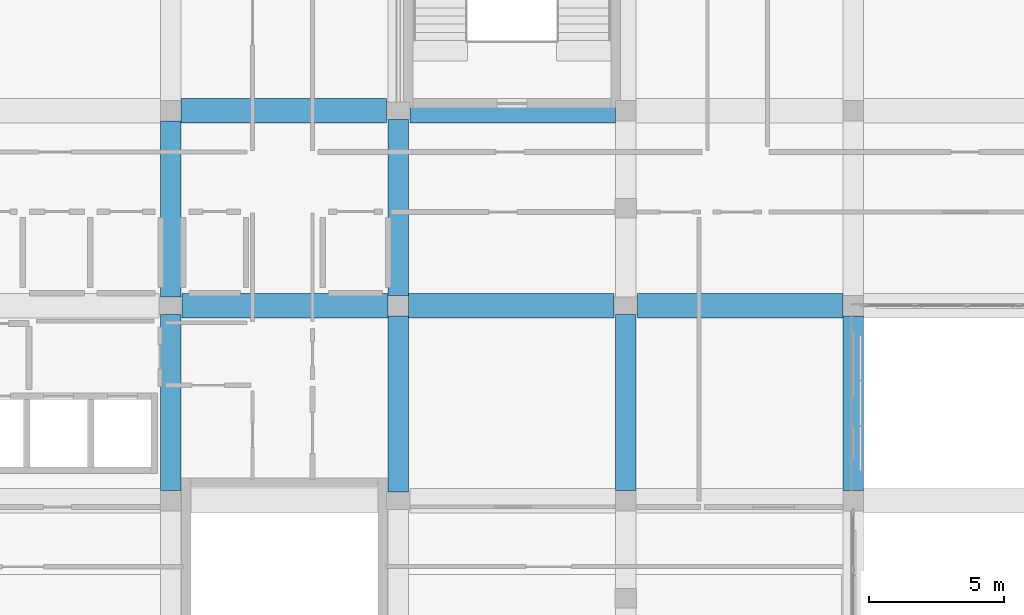
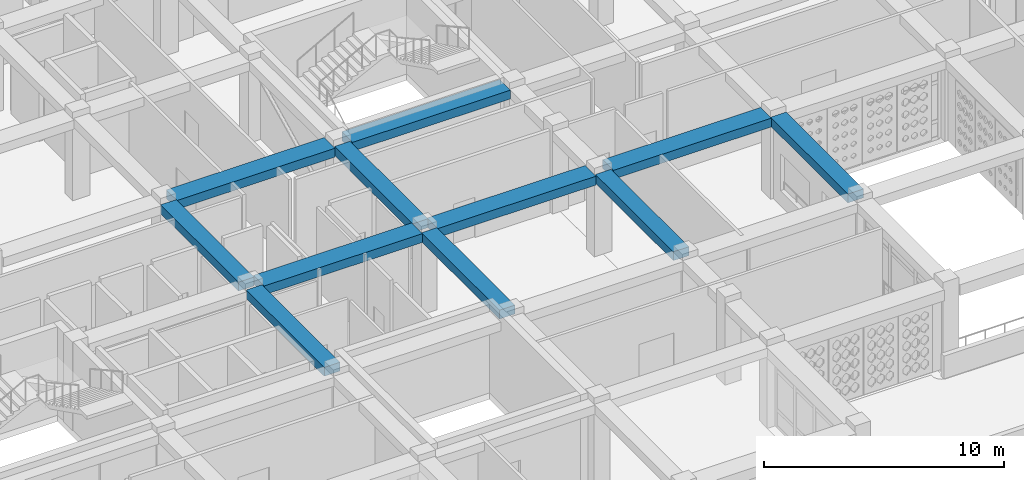
# One storey, part 11 of 111: 11 beams.
"""IFC4 building model written with IfcOpenShell, lengths in metres."""

from ifc_helpers import new_model, si_unit, derived_unit, direction, frame, origin, origin_2d, place, context, subcontext, project, spatial, rectangle, extrude, material, material_profile, profile_set, type_object, element, save


model = new_model("IFC4")

# Units and contexts
model_context = context("Model", 3, precision=1e-05, world=origin(), true_north=direction((0.0, 1.0)))
body_context = subcontext(model_context, "Body", "Model", "MODEL_VIEW")
ifc_project = project(units=[si_unit("LENGTHUNIT", "METRE"), si_unit("AREAUNIT", "SQUARE_METRE"), si_unit("VOLUMEUNIT", "CUBIC_METRE"), si_unit("PLANEANGLEUNIT", "RADIAN"), si_unit("MASSUNIT", "GRAM", prefix="KILO"), derived_unit("THERMALTRANSMITTANCEUNIT", [(si_unit("POWERUNIT", "WATT"), 1), (si_unit("LENGTHUNIT", "METRE"), -2), (si_unit("THERMODYNAMICTEMPERATUREUNIT", "KELVIN"), -1)])], contexts=[model_context])

# Site, building, storey
site_placement = place(None, origin())
site = spatial("IfcSite", under=ifc_project, at=site_placement, CompositionType="ELEMENT")
building_placement = place(site_placement, origin())
building = spatial("IfcBuilding", under=site, at=building_placement, Name="Veybourne Emporium", CompositionType="ELEMENT")
storey_placement = place(building_placement, frame((0.0, 0.0, 9.89990234375)))
storey = spatial("IfcBuildingStorey", under=building, at=storey_placement, Name="L02", CompositionType="ELEMENT", Elevation=9.89990234375)

# Beams
ifc_material = material(Name="Concrete C32/40", Category="concrete")
ifc_material_profile_1 = material_profile(ifc_material, rectangle(XDim=0.89990234375, YDim=0.449951171875, at=origin_2d()), Name="RC 900x450")
ifc_profile_set_1 = profile_set([ifc_material_profile_1], Name="Concrete C32/40")
beam_type_1 = type_object("IfcBeamType", Name="RCBeam_BB-03", PredefinedType="BEAM", material=ifc_profile_set_1)
beam_1_placement = place(storey_placement, frame((34.02490234375, 21.60009765625, 3.955078125), z_axis=(1.0, 0.0, 0.0), x_axis=(0.0, 1.0, 0.0)))
element("IfcBeam", 1, at=beam_1_placement, inside=storey, type_object=beam_type_1, Name="L02 X-grid beam BB-03 (4,3)", PredefinedType="BEAM", context=body_context, shape_type="SweptSolid", body=[
    extrude(rectangle(XDim=0.89990234375, YDim=0.449951171875, at=origin_2d()), origin(), (0.0, 0.0, 1.0), 7.60009765625),
])
beam_2_placement = place(storey_placement, frame((33.97509765625, 28.800048828125, 3.955078125), z_axis=(1.0, 0.0, 0.0), x_axis=(0.0, 1.0, 0.0)))
element("IfcBeam", 2, at=beam_2_placement, inside=storey, type_object=beam_type_1, Name="L02 X-grid beam BB-03 (4,4)", PredefinedType="BEAM", context=body_context, shape_type="SweptSolid", body=[
    extrude(rectangle(XDim=0.89990234375, YDim=0.449951171875, at=origin_2d()), origin(), (0.0, 0.0, 1.0), 7.599853515625),
])
beam_3_placement = place(storey_placement, frame((42.375, 21.60009765625, 3.955078125), z_axis=(1.0, 0.0, 0.0), x_axis=(0.0, 1.0, 0.0)))
element("IfcBeam", 3, at=beam_3_placement, inside=storey, type_object=beam_type_1, Name="L02 X-grid beam BB-03 (5,3)", PredefinedType="BEAM", context=body_context, shape_type="SweptSolid", body=[
    extrude(rectangle(XDim=0.89990234375, YDim=0.449951171875, at=origin_2d()), origin(), (0.0, 0.0, 1.0), 7.60009765625),
])
beam_4_placement = place(storey_placement, frame((42.425048828125, 28.800048828125, 3.955078125), z_axis=(1.0, 0.0, 0.0), x_axis=(0.0, 1.0, 0.0)))
element("IfcBeam", 4, at=beam_4_placement, inside=storey, type_object=beam_type_1, Name="L02 X-grid beam BB-03 (5,4)", PredefinedType="BEAM", context=body_context, shape_type="SweptSolid", body=[
    extrude(rectangle(XDim=0.89990234375, YDim=0.449951171875, at=origin_2d()), origin(), (0.0, 0.0, 1.0), 7.599853515625),
])
beam_5_placement = place(storey_placement, frame((50.824951171875, 21.60009765625, 3.955078125), z_axis=(1.0, 0.0, 0.0), x_axis=(0.0, 1.0, 0.0)))
element("IfcBeam", 5, at=beam_5_placement, inside=storey, type_object=beam_type_1, Name="L02 X-grid beam BB-03 (6,3)", PredefinedType="BEAM", context=body_context, shape_type="SweptSolid", body=[
    extrude(rectangle(XDim=0.89990234375, YDim=0.449951171875, at=origin_2d()), origin(), (0.0, 0.0, 1.0), 7.60009765625),
])
ifc_material_profile_2 = material_profile(ifc_material, rectangle(XDim=0.75, YDim=0.449951171875, at=origin_2d()), Name="RC 750x450")
ifc_profile_set_2 = profile_set([ifc_material_profile_2], Name="Concrete C32/40")
beam_type_2 = type_object("IfcBeamType", Name="RCBeam_BB-04", PredefinedType="BEAM", material=ifc_profile_set_2)
for number, where, z_axis, x_axis, name in (
    (6, (33.60009765625, 14.77490234375, 3.955078125), (0.0, 1.0, 0.0), (-1.0, 0.0, 0.0), "L02 Y-grid beam BB-04 (4,2)"),
    (7, (33.60009765625, 21.925048828125, 3.955078125), (0.0, 1.0, 0.0), (-1.0, 0.0, 0.0), "L02 Y-grid beam BB-04 (4,3)"),
    (8, (42.0, 14.72509765625, 3.955078125), (0.0, 1.0, 0.0), (-1.0, 0.0, 0.0), "L02 Y-grid beam BB-04 (5,2)"),
    (9, (42.0, 21.97509765625, 3.955078125), (0.0, 1.0, 0.0), (-1.0, 0.0, 0.0), "L02 Y-grid beam BB-04 (5,3)"),
    (10, (50.39990234375, 14.77490234375, 3.955078125), (0.0, 1.0, 0.0), (-1.0, 0.0, 0.0), "L02 Y-grid beam BB-04 (6,2)"),
):
    element("IfcBeam", number, at=place(storey_placement, frame(where, z_axis=z_axis, x_axis=x_axis)), inside=storey, type_object=beam_type_2, Name=name, PredefinedType="BEAM", context=body_context, shape_type="SweptSolid", body=[
        extrude(rectangle(XDim=0.75, YDim=0.449951171875, at=origin_2d()), origin(), (0.0, 0.0, 1.0), 6.5),
    ])
beam_6_placement = place(storey_placement, frame((58.800048828125, 14.77490234375, 3.955078125), z_axis=(0.0, 1.0, 0.0), x_axis=(-1.0, 0.0, 0.0)))
element("IfcBeam", 11, at=beam_6_placement, inside=storey, type_object=beam_type_2, Name="L02 Y-grid beam BB-04 (7,2)", PredefinedType="BEAM", context=body_context, shape_type="SweptSolid", body=[
    extrude(rectangle(XDim=0.75, YDim=0.449951171875, at=origin_2d()), origin(), (0.0, 0.0, 1.0), 6.4501953125),
])

save(model, "model.ifc")
